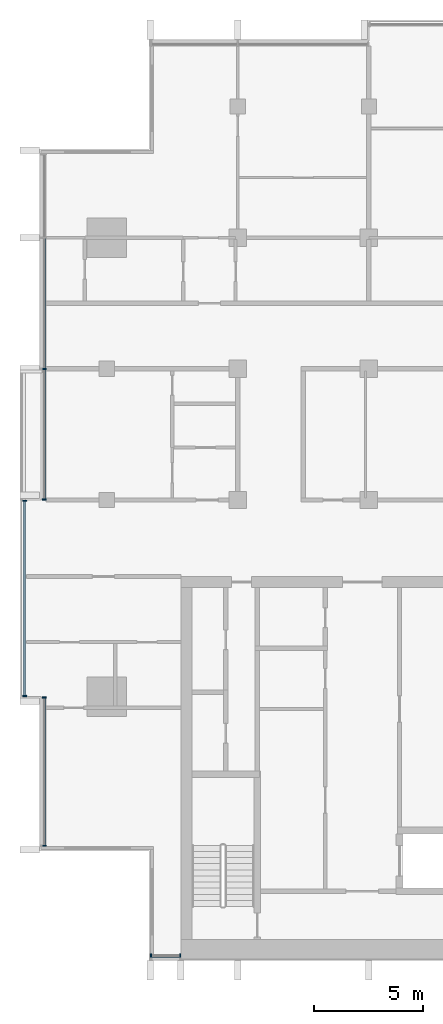
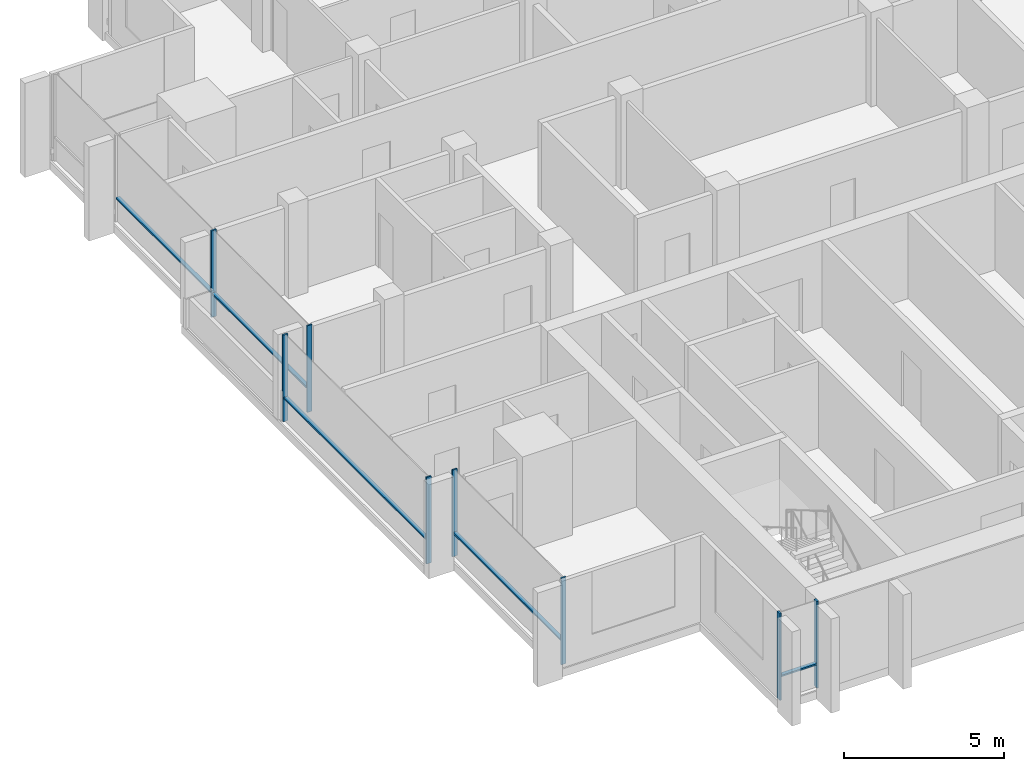
# One storey, part 2 of 16: 13 members, 4 elements without a shape of their own.
"""IFC4 building model written with IfcOpenShell, lengths in metres."""

from ifc_helpers import new_model, si_unit, direction, frame, origin, origin_2d, place, context, subcontext, project, spatial, rectangle, extrude, material, material_profile, profile_set, type_object, element, aggregate, save


model = new_model("IFC4")

# Units and contexts
model_context = context("Model", 3, precision=1e-05, world=origin(), true_north=direction((0.0, 1.0)))
body_context = subcontext(model_context, "Body", "Model", "MODEL_VIEW")
ifc_project = project(units=[si_unit("LENGTHUNIT", "METRE"), si_unit("AREAUNIT", "SQUARE_METRE"), si_unit("VOLUMEUNIT", "CUBIC_METRE"), si_unit("PLANEANGLEUNIT", "RADIAN"), si_unit("MASSUNIT", "GRAM", prefix="KILO")], contexts=[model_context])

# Site, building, storey
site_placement = place(None, origin())
site = spatial("IfcSite", under=ifc_project, at=site_placement, CompositionType="ELEMENT")
building_placement = place(site_placement, origin())
building = spatial("IfcBuilding", under=site, at=building_placement, Name="Finial Court Residences", CompositionType="ELEMENT")
storey_placement = place(building_placement, frame((0.0, 0.0, 287.89990234375)))
storey = spatial("IfcBuildingStorey", under=building, at=storey_placement, Name="L73", CompositionType="ELEMENT", Elevation=287.89990234375)

# Curtain wall, members
ifc_material = material(Name="Bronze anodised aluminium", Category="aluminium")
curtain_wall_type = type_object("IfcCurtainWallType", Name="Unitised curtain wall, upper zones", PredefinedType="NOTDEFINED", material=ifc_material)
curtain_wall_1_placement = place(storey_placement, origin())
curtain_wall_1 = element("IfcCurtainWall", 1, at=curtain_wall_1_placement, inside=storey, type_object=curtain_wall_type, Name="E-L73-CW-S7", PredefinedType="NOTDEFINED")
ifc_material_profile_1 = material_profile(ifc_material, rectangle(XDim=0.175048828125, YDim=0.06005859375, at=origin_2d()), Name="CW2 mullion 60 x 175")
ifc_profile_set_1 = profile_set([ifc_material_profile_1], Name="Bronze anodised aluminium")
member_type_1 = type_object("IfcMemberType", Name="CW2 mullion 60 x 175", PredefinedType="MULLION", material=ifc_profile_set_1)
member_1_placement = place(storey_placement, frame((-14.469970703125, -25.35009765625, 0.0), z_axis=(0.0, 0.0, 1.0), x_axis=(0.0, 1.0, 0.0)))
member_1 = element("IfcMember", 2, at=member_1_placement, type_object=member_type_1, Name="CW2 mullion 1", PredefinedType="MULLION", context=body_context, shape_type="SweptSolid", body=[
    extrude(rectangle(XDim=0.175048828125, YDim=0.06005859375, at=origin_2d()), origin(), (0.0, 0.0, 1.0), 3.300048828125),
])
member_2_placement = place(storey_placement, frame((-13.1298828125, -25.35009765625, 0.0), z_axis=(0.0, 0.0, 1.0), x_axis=(0.0, 1.0, 0.0)))
member_2 = element("IfcMember", 3, at=member_2_placement, type_object=member_type_1, Name="CW2 mullion 2", PredefinedType="MULLION", context=body_context, shape_type="SweptSolid", body=[
    extrude(rectangle(XDim=0.175048828125, YDim=0.06005859375, at=origin_2d()), origin(), (0.0, 0.0, 1.0), 3.300048828125),
])

curtain_wall_2_placement = place(storey_placement, origin())
curtain_wall_2 = element("IfcCurtainWall", 4, at=curtain_wall_2_placement, inside=storey, type_object=curtain_wall_type, Name="E-L73-CW-W9", PredefinedType="NOTDEFINED")
member_3_placement = place(storey_placement, frame((-19.35009765625, -20.320068359375, 0.0), z_axis=(0.0, 0.0, 1.0), x_axis=(-1.0, 0.0, 0.0)))
member_3 = element("IfcMember", 5, at=member_3_placement, type_object=member_type_1, Name="CW2 mullion 1", PredefinedType="MULLION", context=body_context, shape_type="SweptSolid", body=[
    extrude(rectangle(XDim=0.175048828125, YDim=0.06005859375, at=origin_2d()), origin(), (0.0, 0.0, 1.0), 3.300048828125),
])
member_4_placement = place(storey_placement, frame((-19.35009765625, -13.530029296875, 0.0), z_axis=(0.0, 0.0, 1.0), x_axis=(-1.0, 0.0, 0.0)))
member_4 = element("IfcMember", 6, at=member_4_placement, type_object=member_type_1, Name="CW2 mullion 2", PredefinedType="MULLION", context=body_context, shape_type="SweptSolid", body=[
    extrude(rectangle(XDim=0.175048828125, YDim=0.06005859375, at=origin_2d()), origin(), (0.0, 0.0, 1.0), 3.300048828125),
])

curtain_wall_3_placement = place(storey_placement, origin())
curtain_wall_3 = element("IfcCurtainWall", 7, at=curtain_wall_3_placement, inside=storey, type_object=curtain_wall_type, Name="E-L73-CW-W10", PredefinedType="NOTDEFINED")
member_5_placement = place(storey_placement, frame((-20.25, -13.469970703125, 0.0), z_axis=(0.0, 0.0, 1.0), x_axis=(-1.0, 0.0, 0.0)))
member_5 = element("IfcMember", 8, at=member_5_placement, type_object=member_type_1, Name="CW2 mullion 1", PredefinedType="MULLION", context=body_context, shape_type="SweptSolid", body=[
    extrude(rectangle(XDim=0.175048828125, YDim=0.06005859375, at=origin_2d()), origin(), (0.0, 0.0, 1.0), 3.300048828125),
])
member_6_placement = place(storey_placement, frame((-20.25, -4.530029296875, 0.0), z_axis=(0.0, 0.0, 1.0), x_axis=(-1.0, 0.0, 0.0)))
member_6 = element("IfcMember", 9, at=member_6_placement, type_object=member_type_1, Name="CW2 mullion 2", PredefinedType="MULLION", context=body_context, shape_type="SweptSolid", body=[
    extrude(rectangle(XDim=0.175048828125, YDim=0.06005859375, at=origin_2d()), origin(), (0.0, 0.0, 1.0), 3.300048828125),
])

curtain_wall_4_placement = place(storey_placement, origin())
curtain_wall_4 = element("IfcCurtainWall", 10, at=curtain_wall_4_placement, inside=storey, type_object=curtain_wall_type, Name="E-L73-CW-W11", PredefinedType="NOTDEFINED")
member_7_placement = place(storey_placement, frame((-19.35009765625, -4.469970703125, 0.0), z_axis=(0.0, 0.0, 1.0), x_axis=(-1.0, 0.0, 0.0)))
member_7 = element("IfcMember", 11, at=member_7_placement, type_object=member_type_1, Name="CW2 mullion 1", PredefinedType="MULLION", context=body_context, shape_type="SweptSolid", body=[
    extrude(rectangle(XDim=0.175048828125, YDim=0.06005859375, at=origin_2d()), origin(), (0.0, 0.0, 1.0), 3.300048828125),
])
member_8_placement = place(storey_placement, frame((-19.35009765625, 1.5, 0.0), z_axis=(0.0, 0.0, 1.0), x_axis=(-1.0, 0.0, 0.0)))
member_8 = element("IfcMember", 12, at=member_8_placement, type_object=member_type_1, Name="CW2 mullion 2", PredefinedType="MULLION", context=body_context, shape_type="SweptSolid", body=[
    extrude(rectangle(XDim=0.175048828125, YDim=0.06005859375, at=origin_2d()), origin(), (0.0, 0.0, 1.0), 3.300048828125),
])

# Member
ifc_material_profile_2 = material_profile(ifc_material, rectangle(XDim=0.139892578125, YDim=0.06005859375, at=origin_2d()), Name="CW2 transom 60 x 140")
ifc_profile_set_2 = profile_set([ifc_material_profile_2], Name="Bronze anodised aluminium")
member_type_2 = type_object("IfcMemberType", Name="CW2 transom 60 x 140", PredefinedType="USERDEFINED", material=ifc_profile_set_2)
member_9_placement = place(storey_placement, frame((-14.43994140625, -25.35009765625, 0.900146484375), z_axis=(1.0, 0.0, 0.0), x_axis=(0.0, 1.0, 0.0)))
member_9 = element("IfcMember", 13, at=member_9_placement, type_object=member_type_2, Name="CW2 transom 1.1", ObjectType="TRANSOM", PredefinedType="USERDEFINED", context=body_context, shape_type="SweptSolid", body=[
    extrude(rectangle(XDim=0.139892578125, YDim=0.06005859375, at=origin_2d()), origin(), (0.0, 0.0, 1.0), 1.280029296875),
])

aggregate(curtain_wall_1, [member_1, member_2, member_9])

member_10_placement = place(storey_placement, frame((-19.35009765625, -20.2900390625, 0.900146484375), z_axis=(0.0, 1.0, 0.0), x_axis=(-1.0, 0.0, 0.0)))
member_10 = element("IfcMember", 14, at=member_10_placement, type_object=member_type_2, Name="CW2 transom 1.1", ObjectType="TRANSOM", PredefinedType="USERDEFINED", context=body_context, shape_type="SweptSolid", body=[
    extrude(rectangle(XDim=0.139892578125, YDim=0.06005859375, at=origin_2d()), origin(), (0.0, 0.0, 1.0), 6.72998046875),
])

aggregate(curtain_wall_2, [member_3, member_4, member_10])

member_11_placement = place(storey_placement, frame((-20.25, -13.43994140625, 0.900146484375), z_axis=(0.0, 1.0, 0.0), x_axis=(-1.0, 0.0, 0.0)))
member_11 = element("IfcMember", 15, at=member_11_placement, type_object=member_type_2, Name="CW2 transom 1.1", ObjectType="TRANSOM", PredefinedType="USERDEFINED", context=body_context, shape_type="SweptSolid", body=[
    extrude(rectangle(XDim=0.139892578125, YDim=0.06005859375, at=origin_2d()), origin(), (0.0, 0.0, 1.0), 8.8798828125),
])

aggregate(curtain_wall_3, [member_5, member_6, member_11])

member_12_placement = place(storey_placement, frame((-19.35009765625, -4.43994140625, 0.900146484375), z_axis=(0.0, 1.0, 0.0), x_axis=(-1.0, 0.0, 0.0)))
member_12 = element("IfcMember", 16, at=member_12_placement, type_object=member_type_2, Name="CW2 transom 1.1", ObjectType="TRANSOM", PredefinedType="USERDEFINED", context=body_context, shape_type="SweptSolid", body=[
    extrude(rectangle(XDim=0.139892578125, YDim=0.06005859375, at=origin_2d()), origin(), (0.0, 0.0, 1.0), 5.909912109375),
])

member_13_placement = place(storey_placement, frame((-19.35009765625, 1.530029296875, 0.900146484375), z_axis=(0.0, 1.0, 0.0), x_axis=(-1.0, 0.0, 0.0)))
member_13 = element("IfcMember", 17, at=member_13_placement, type_object=member_type_2, Name="CW2 transom 2.1", ObjectType="TRANSOM", PredefinedType="USERDEFINED", context=body_context, shape_type="SweptSolid", body=[
    extrude(rectangle(XDim=0.139892578125, YDim=0.06005859375, at=origin_2d()), origin(), (0.0, 0.0, 1.0), 5.93994140625),
])

aggregate(curtain_wall_4, [member_7, member_8, member_12, member_13])

save(model, "model.ifc")
